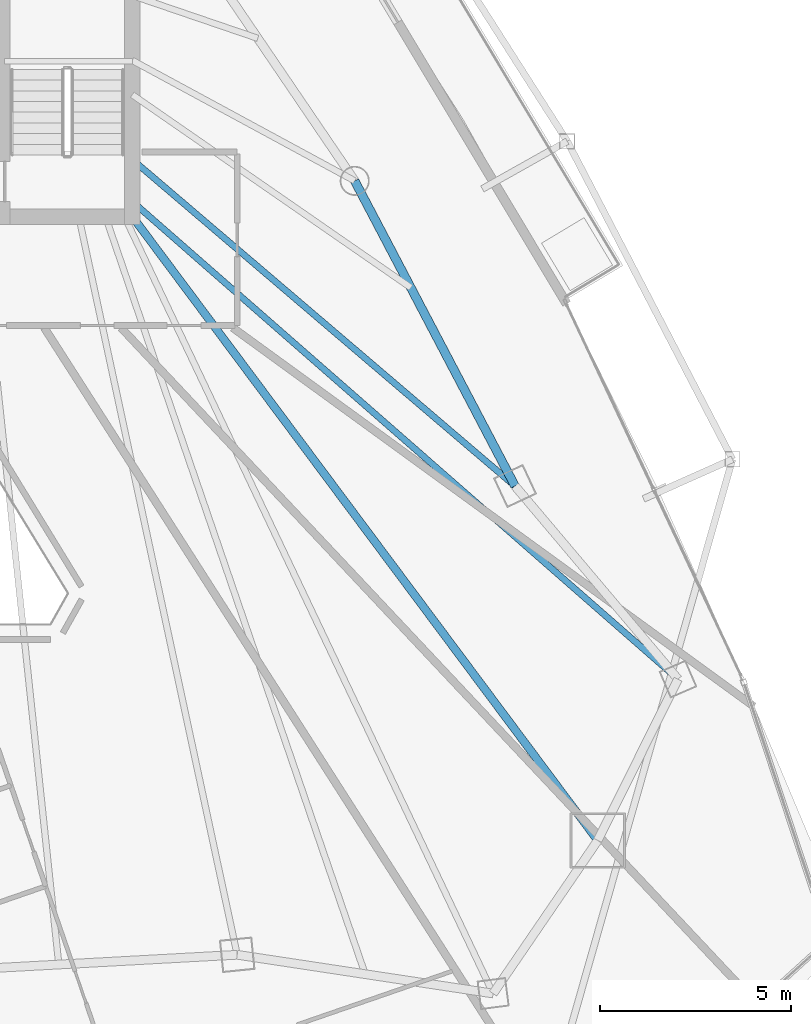
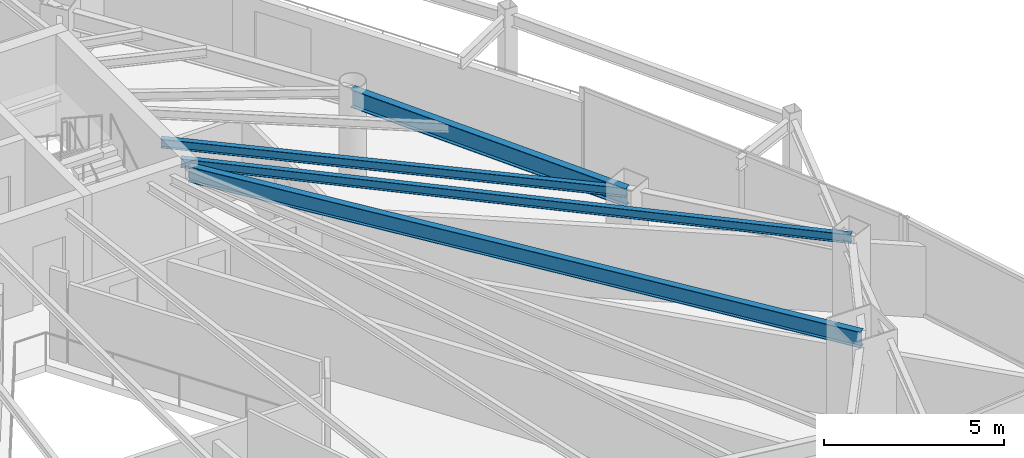
# One storey, part 15 of 29: 4 beams.
"""IFC4 building model written with IfcOpenShell, lengths in metres."""

from ifc_helpers import new_model, si_unit, direction, frame, origin, origin_2d, place, context, subcontext, project, spatial, i_section, extrude, material, material_profile, profile_set, type_object, element, save


model = new_model("IFC4")

# Units and contexts
model_context = context("Model", 3, precision=1e-05, world=origin(), true_north=direction((0.0, 1.0)))
body_context = subcontext(model_context, "Body", "Model", "MODEL_VIEW")
ifc_project = project(units=[si_unit("LENGTHUNIT", "METRE"), si_unit("AREAUNIT", "SQUARE_METRE"), si_unit("VOLUMEUNIT", "CUBIC_METRE"), si_unit("PLANEANGLEUNIT", "RADIAN"), si_unit("MASSUNIT", "GRAM", prefix="KILO")], contexts=[model_context])

# Site, building, storey
site_placement = place(None, origin())
site = spatial("IfcSite", under=ifc_project, at=site_placement, CompositionType="ELEMENT")
building_placement = place(site_placement, origin())
building = spatial("IfcBuilding", under=site, at=building_placement, Name="Orvanel Arch Residences", CompositionType="ELEMENT")
storey_placement = place(building_placement, frame((0.0, 0.0, 160.550048828125)))
storey = spatial("IfcBuildingStorey", under=building, at=storey_placement, Name="L45", CompositionType="ELEMENT", Elevation=160.550048828125)

# Beams
ifc_material = material(Name="Structural steel AS/NZS 3679.1 Grade 300 (300 MPa)", Category="steel")
ifc_material_profile_1 = material_profile(ifc_material, i_section(OverallWidth=0.208984375, OverallDepth=0.532958984375, WebThickness=0.01025390625, FlangeThickness=0.015625, at=origin_2d()), Name="530UB92.4")
ifc_profile_set_1 = profile_set([ifc_material_profile_1], Name="Structural steel AS/NZS 3679.1 Grade 300 (300 MPa)")
beam_type_1 = type_object("IfcBeamType", Name="BG-530UB", PredefinedType="BEAM", material=ifc_profile_set_1)
beam_1_placement = place(storey_placement, frame((39.625, 26.675048828125, 2.7939453125), z_axis=(0.597893733742, -0.801575375839, 0.0), x_axis=(0.801575375839, 0.597893733742, 0.0)))
element("IfcBeam", 1, at=beam_1_placement, inside=storey, type_object=beam_type_1, Name="L45 South-East Radial Girder", PredefinedType="BEAM", context=body_context, shape_type="SweptSolid", body=[
    extrude(i_section(OverallWidth=0.208984375, OverallDepth=0.532958984375, WebThickness=0.01025390625, FlangeThickness=0.015625, at=origin_2d()), origin(), (0.0, 0.0, 1.0), 20.36474609375),
])
ifc_material_profile_2 = material_profile(ifc_material, i_section(OverallWidth=0.1650390625, OverallDepth=0.303955078125, WebThickness=0.006103515625, FlangeThickness=0.01025390625, at=origin_2d()), Name="310UB40.4")
ifc_profile_set_2 = profile_set([ifc_material_profile_2], Name="Structural steel AS/NZS 3679.1 Grade 300 (300 MPa)")
beam_type_2 = type_object("IfcBeamType", Name="BJ-310UB", PredefinedType="JOIST", material=ifc_profile_set_2)
beam_2_placement = place(storey_placement, frame((39.60009765625, 28.199951171875, 2.907958984375), z_axis=(0.760821315761, -0.648961420644, 0.0), x_axis=(0.648961420644, 0.760821315761, 0.0)))
element("IfcBeam", 2, at=beam_2_placement, inside=storey, type_object=beam_type_2, Name="L45 E Wing Floor Joist", PredefinedType="JOIST", context=body_context, shape_type="SweptSolid", body=[
    extrude(i_section(OverallWidth=0.1650390625, OverallDepth=0.303955078125, WebThickness=0.006103515625, FlangeThickness=0.01025390625, at=origin_2d()), origin(), (0.0, 0.0, 1.0), 13.18701171875),
])
beam_3_placement = place(storey_placement, frame((39.60009765625, 27.10009765625, 2.907958984375), z_axis=(0.752493154183, -0.658600070534, 0.0), x_axis=(0.658600070534, 0.752493154183, 0.0)))
element("IfcBeam", 3, at=beam_3_placement, inside=storey, type_object=beam_type_2, Name="L45 ME Wing Floor Joist", PredefinedType="JOIST", context=body_context, shape_type="SweptSolid", body=[
    extrude(i_section(OverallWidth=0.1650390625, OverallDepth=0.303955078125, WebThickness=0.006103515625, FlangeThickness=0.01025390625, at=origin_2d()), origin(), (0.0, 0.0, 1.0), 19.010009765625),
])
ifc_material_profile_3 = material_profile(ifc_material, i_section(OverallWidth=0.22900390625, OverallDepth=0.612060546875, WebThickness=0.011962890625, FlangeThickness=0.01953125, at=origin_2d()), Name="610UB125")
ifc_profile_set_3 = profile_set([ifc_material_profile_3], Name="Structural steel AS/NZS 3679.1 Grade 300 (300 MPa)")
beam_type_3 = type_object("IfcBeamType", Name="SP-610UB", PredefinedType="SPANDREL", material=ifc_profile_set_3)
beam_4_placement = place(storey_placement, frame((49.633056640625, 19.64208984375, 2.75390625), z_axis=(-0.465064762793, 0.885276660942, 0.0), x_axis=(-0.885276660942, -0.465064762793, 0.0)))
element("IfcBeam", 4, at=beam_4_placement, inside=storey, type_object=beam_type_3, Name="L45 Perimeter Spandrel Beam 11", PredefinedType="SPANDREL", context=body_context, shape_type="SweptSolid", body=[
    extrude(i_section(OverallWidth=0.22900390625, OverallDepth=0.612060546875, WebThickness=0.011962890625, FlangeThickness=0.01953125, at=origin_2d()), origin(), (0.0, 0.0, 1.0), 9.03564453125),
])

save(model, "model.ifc")
